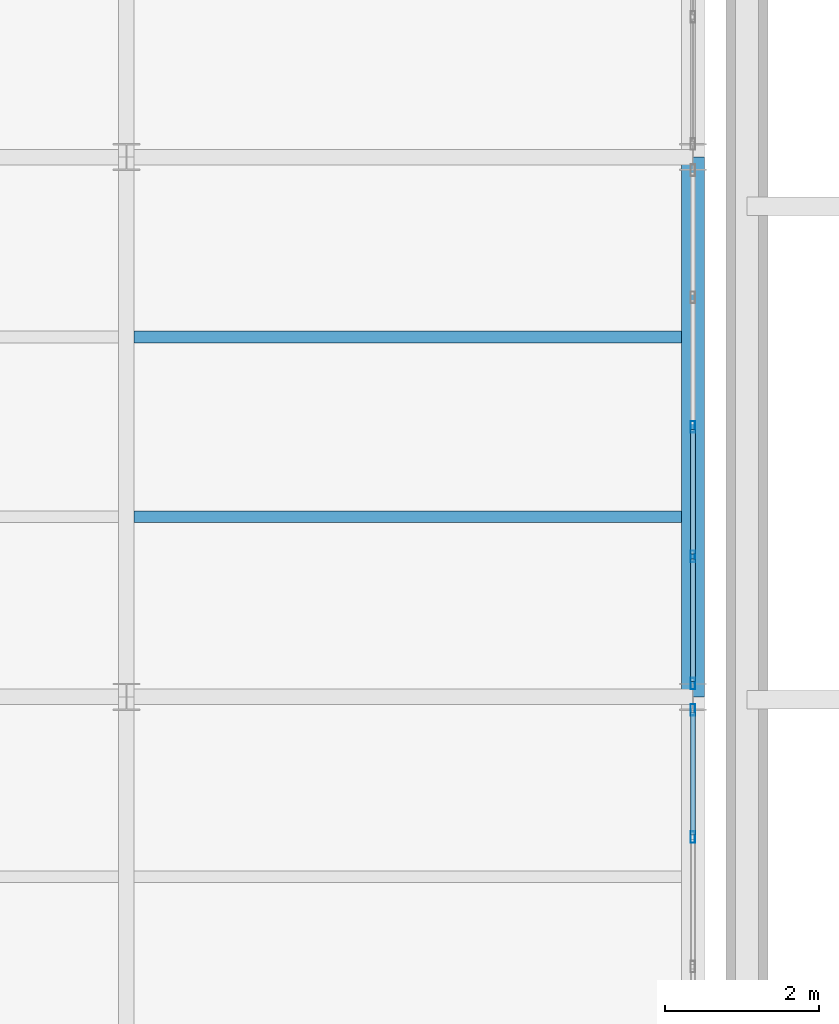
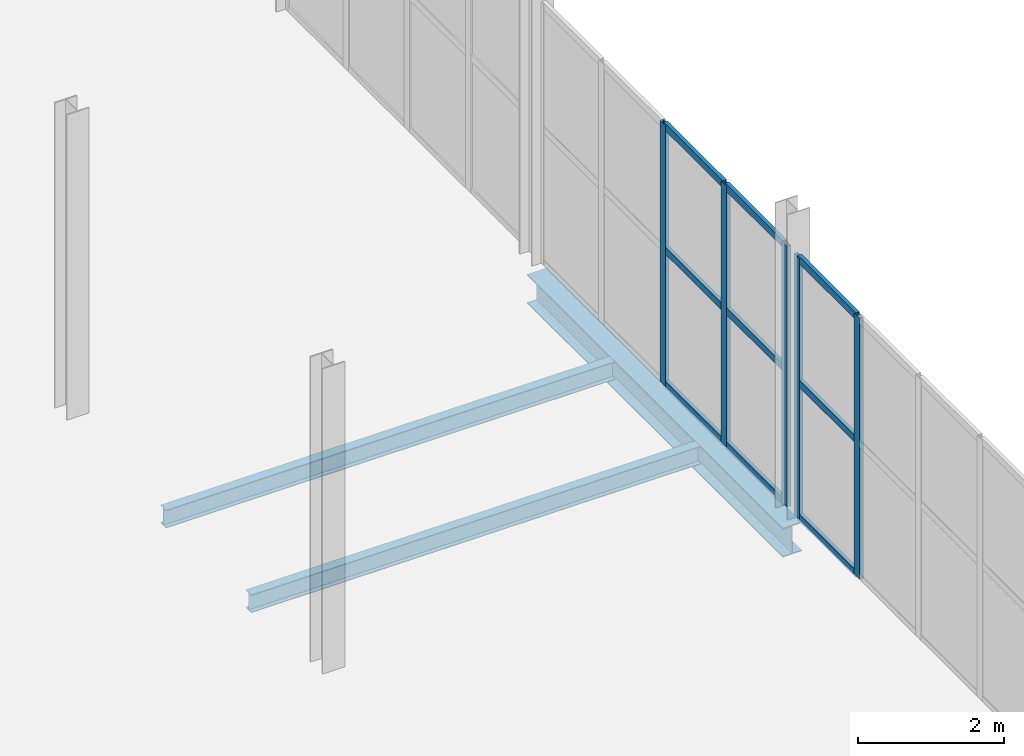
# One storey, part 53 of 218: 14 members, 3 beams, 2 elements without a shape of their own.
"""IFC4 building model written with IfcOpenShell, lengths in metres."""

from ifc_helpers import new_model, si_unit, direction, frame, origin, origin_2d, place, context, subcontext, project, spatial, hollow_rectangle, i_section, extrude, material, material_profile, profile_set, type_object, element, aggregate, save


model = new_model("IFC4")

# Units and contexts
model_context = context("Model", 3, precision=1e-05, world=origin(), true_north=direction((0.0, 1.0)))
body_context = subcontext(model_context, "Body", "Model", "MODEL_VIEW")
ifc_project = project(units=[si_unit("LENGTHUNIT", "METRE"), si_unit("AREAUNIT", "SQUARE_METRE"), si_unit("VOLUMEUNIT", "CUBIC_METRE"), si_unit("PLANEANGLEUNIT", "RADIAN"), si_unit("MASSUNIT", "GRAM", prefix="KILO")], contexts=[model_context])

# Site, building, storey
site_placement = place(None, origin())
site = spatial("IfcSite", under=ifc_project, at=site_placement, CompositionType="ELEMENT")
building_placement = place(site_placement, origin())
building = spatial("IfcBuilding", under=site, at=building_placement, Name="Kazenagashi Tramway Depot", CompositionType="ELEMENT")
storey_placement = place(building_placement, frame((0.0, 0.0, 6.0)))
storey = spatial("IfcBuildingStorey", under=building, at=storey_placement, Name="L02", CompositionType="ELEMENT", Elevation=6.0)

# Beams
ifc_material_1 = material(Name="Steel SN400B", Category="steel")
ifc_material_profile_1 = material_profile(ifc_material_1, i_section(OverallWidth=0.15, OverallDepth=0.3, WebThickness=0.0065, FlangeThickness=0.009, at=origin_2d()), Name="H-300x150x6.5x9")
ifc_profile_set_1 = profile_set([ifc_material_profile_1], Name="Steel SN400B")
beam_type_1 = type_object("IfcBeamType", Name="J-02", PredefinedType="JOIST", material=ifc_profile_set_1)
for number, where, z_axis, x_axis, name in (
    (1, (36.85, 44.333, -0.4), (1.0, 0.0, 0.0), (0.0, 1.0, 0.0), "Beam J-02 BM-0201"),
    (2, (36.85, 46.667, -0.4), (1.0, 0.0, 0.0), (0.0, 1.0, 0.0), "Beam J-02 BM-0202"),
):
    element("IfcBeam", number, at=place(storey_placement, frame(where, z_axis=z_axis, x_axis=x_axis)), inside=storey, type_object=beam_type_1, Name=name, PredefinedType="JOIST", context=body_context, shape_type="SweptSolid", body=[
        extrude(i_section(OverallWidth=0.15, OverallDepth=0.3, WebThickness=0.0065, FlangeThickness=0.009, at=origin_2d()), origin(), (0.0, 0.0, 1.0), 7.1),
    ])

# Curtain wall, members
ifc_material_2 = material(Name="Anodised Aluminium and Low-E Glazing", Category="aluminium")
curtain_wall_type = type_object("IfcCurtainWallType", Name="CW-34", PredefinedType="USERDEFINED", material=ifc_material_2)
curtain_wall_1_placement = place(storey_placement, origin())
curtain_wall_1 = element("IfcCurtainWall", 3, at=curtain_wall_1_placement, inside=storey, type_object=curtain_wall_type, Name="Industrial Glazed Screen CW-34 CW-0190", ObjectType="GLAZED SCREEN", PredefinedType="USERDEFINED")
ifc_material_3 = material(Name="Anodised Aluminium", Category="aluminium")
ifc_material_profile_2 = material_profile(ifc_material_3, hollow_rectangle(XDim=0.06, YDim=0.15, WallThickness=0.004, at=origin_2d()), Name="RHS-150x60x4")
ifc_profile_set_2 = profile_set([ifc_material_profile_2], Name="Anodised Aluminium")
member_type_1 = type_object("IfcMemberType", Name="ML-01", PredefinedType="MULLION", material=ifc_profile_set_2)
member_1_placement = place(storey_placement, frame((44.1, 40.18, 0.0), z_axis=(0.0, 0.0, 1.0), x_axis=(-1.0, 0.0, 0.0)))
member_1 = element("IfcMember", 4, at=member_1_placement, type_object=member_type_1, Name="CW-34 mullion 4", PredefinedType="MULLION", context=body_context, shape_type="SweptSolid", body=[
    extrude(hollow_rectangle(XDim=0.06, YDim=0.15, WallThickness=0.004, at=origin_2d()), origin(), (0.0, 0.0, 1.0), 4.362),
])
member_2_placement = place(storey_placement, frame((44.1, 41.83, 0.0), z_axis=(0.0, 0.0, 1.0), x_axis=(-1.0, 0.0, 0.0)))
member_2 = element("IfcMember", 5, at=member_2_placement, type_object=member_type_1, Name="CW-34 mullion 5", PredefinedType="MULLION", context=body_context, shape_type="SweptSolid", body=[
    extrude(hollow_rectangle(XDim=0.06, YDim=0.15, WallThickness=0.004, at=origin_2d()), origin(), (0.0, 0.0, 1.0), 4.362),
])

curtain_wall_2_placement = place(storey_placement, origin())
curtain_wall_2 = element("IfcCurtainWall", 6, at=curtain_wall_2_placement, inside=storey, type_object=curtain_wall_type, Name="Industrial Glazed Screen CW-34 CW-0192", ObjectType="GLAZED SCREEN", PredefinedType="USERDEFINED")
member_3_placement = place(storey_placement, frame((44.1, 42.17, 0.0), z_axis=(0.0, 0.0, 1.0), x_axis=(-1.0, 0.0, 0.0)))
member_3 = element("IfcMember", 7, at=member_3_placement, type_object=member_type_1, Name="CW-34 mullion 1", PredefinedType="MULLION", context=body_context, shape_type="SweptSolid", body=[
    extrude(hollow_rectangle(XDim=0.06, YDim=0.15, WallThickness=0.004, at=origin_2d()), origin(), (0.0, 0.0, 1.0), 4.362),
])
member_4_placement = place(storey_placement, frame((44.1, 43.82, 0.0), z_axis=(0.0, 0.0, 1.0), x_axis=(-1.0, 0.0, 0.0)))
member_4 = element("IfcMember", 8, at=member_4_placement, type_object=member_type_1, Name="CW-34 mullion 2", PredefinedType="MULLION", context=body_context, shape_type="SweptSolid", body=[
    extrude(hollow_rectangle(XDim=0.06, YDim=0.15, WallThickness=0.004, at=origin_2d()), origin(), (0.0, 0.0, 1.0), 4.362),
])
member_5_placement = place(storey_placement, frame((44.1, 45.5, 0.0), z_axis=(0.0, 0.0, 1.0), x_axis=(-1.0, 0.0, 0.0)))
member_5 = element("IfcMember", 9, at=member_5_placement, type_object=member_type_1, Name="CW-34 mullion 3", PredefinedType="MULLION", context=body_context, shape_type="SweptSolid", body=[
    extrude(hollow_rectangle(XDim=0.06, YDim=0.15, WallThickness=0.004, at=origin_2d()), origin(), (0.0, 0.0, 1.0), 4.362),
])

# Beam
ifc_material_4 = material(Name="Steel SN490B", Category="steel")
ifc_material_profile_3 = material_profile(ifc_material_4, i_section(OverallWidth=0.3, OverallDepth=0.488, WebThickness=0.011, FlangeThickness=0.018, at=origin_2d()), Name="H-488x300x11x18")
ifc_profile_set_3 = profile_set([ifc_material_profile_3], Name="Steel SN490B")
beam_type_2 = type_object("IfcBeamType", Name="SP-02", PredefinedType="SPANDREL", material=ifc_profile_set_3)
beam_placement = place(storey_placement, frame((44.1, 42.0, -0.494), z_axis=(0.0, 1.0, 0.0), x_axis=(-1.0, 0.0, 0.0)))
element("IfcBeam", 10, at=beam_placement, inside=storey, type_object=beam_type_2, Name="Beam SP-02 BM-0215", PredefinedType="SPANDREL", context=body_context, shape_type="SweptSolid", body=[
    extrude(i_section(OverallWidth=0.3, OverallDepth=0.488, WebThickness=0.011, FlangeThickness=0.018, at=origin_2d()), origin(), (0.0, 0.0, 1.0), 7.0),
])

# Member
ifc_material_profile_4 = material_profile(ifc_material_3, hollow_rectangle(XDim=0.06, YDim=0.12, WallThickness=0.004, at=origin_2d()), Name="RHS-120x60x4")
ifc_profile_set_4 = profile_set([ifc_material_profile_4], Name="Anodised Aluminium")
member_type_2 = type_object("IfcMemberType", Name="TR-01", PredefinedType="USERDEFINED", material=ifc_profile_set_4)
member_6_placement = place(storey_placement, frame((44.1, 40.21, 0.03), z_axis=(0.0, 1.0, 0.0), x_axis=(-1.0, 0.0, 0.0)))
member_6 = element("IfcMember", 11, at=member_6_placement, type_object=member_type_2, Name="CW-34 transom 4.1", ObjectType="TRANSOM", PredefinedType="USERDEFINED", context=body_context, shape_type="SweptSolid", body=[
    extrude(hollow_rectangle(XDim=0.06, YDim=0.12, WallThickness=0.004, at=origin_2d()), origin(), (0.0, 0.0, 1.0), 1.59),
])

member_7_placement = place(storey_placement, frame((44.1, 40.21, 2.268), z_axis=(0.0, 1.0, 0.0), x_axis=(-1.0, 0.0, 0.0)))
member_7 = element("IfcMember", 12, at=member_7_placement, type_object=member_type_2, Name="CW-34 transom 4.2", ObjectType="TRANSOM", PredefinedType="USERDEFINED", context=body_context, shape_type="SweptSolid", body=[
    extrude(hollow_rectangle(XDim=0.06, YDim=0.12, WallThickness=0.004, at=origin_2d()), origin(), (0.0, 0.0, 1.0), 1.59),
])

member_8_placement = place(storey_placement, frame((44.1, 40.21, 4.332), z_axis=(0.0, 1.0, 0.0), x_axis=(-1.0, 0.0, 0.0)))
member_8 = element("IfcMember", 13, at=member_8_placement, type_object=member_type_2, Name="CW-34 transom 4.3", ObjectType="TRANSOM", PredefinedType="USERDEFINED", context=body_context, shape_type="SweptSolid", body=[
    extrude(hollow_rectangle(XDim=0.06, YDim=0.12, WallThickness=0.004, at=origin_2d()), origin(), (0.0, 0.0, 1.0), 1.59),
])

aggregate(curtain_wall_1, [member_1, member_2, member_6, member_7, member_8])

member_9_placement = place(storey_placement, frame((44.1, 42.2, 0.03), z_axis=(0.0, 1.0, 0.0), x_axis=(-1.0, 0.0, 0.0)))
member_9 = element("IfcMember", 14, at=member_9_placement, type_object=member_type_2, Name="CW-34 transom 1.1", ObjectType="TRANSOM", PredefinedType="USERDEFINED", context=body_context, shape_type="SweptSolid", body=[
    extrude(hollow_rectangle(XDim=0.06, YDim=0.12, WallThickness=0.004, at=origin_2d()), origin(), (0.0, 0.0, 1.0), 1.59),
])

member_10_placement = place(storey_placement, frame((44.1, 42.2, 2.268), z_axis=(0.0, 1.0, 0.0), x_axis=(-1.0, 0.0, 0.0)))
member_10 = element("IfcMember", 15, at=member_10_placement, type_object=member_type_2, Name="CW-34 transom 1.2", ObjectType="TRANSOM", PredefinedType="USERDEFINED", context=body_context, shape_type="SweptSolid", body=[
    extrude(hollow_rectangle(XDim=0.06, YDim=0.12, WallThickness=0.004, at=origin_2d()), origin(), (0.0, 0.0, 1.0), 1.59),
])

member_11_placement = place(storey_placement, frame((44.1, 42.2, 4.332), z_axis=(0.0, 1.0, 0.0), x_axis=(-1.0, 0.0, 0.0)))
member_11 = element("IfcMember", 16, at=member_11_placement, type_object=member_type_2, Name="CW-34 transom 1.3", ObjectType="TRANSOM", PredefinedType="USERDEFINED", context=body_context, shape_type="SweptSolid", body=[
    extrude(hollow_rectangle(XDim=0.06, YDim=0.12, WallThickness=0.004, at=origin_2d()), origin(), (0.0, 0.0, 1.0), 1.59),
])

member_12_placement = place(storey_placement, frame((44.1, 43.85, 0.03), z_axis=(0.0, 1.0, 0.0), x_axis=(-1.0, 0.0, 0.0)))
member_12 = element("IfcMember", 17, at=member_12_placement, type_object=member_type_2, Name="CW-34 transom 2.1", ObjectType="TRANSOM", PredefinedType="USERDEFINED", context=body_context, shape_type="SweptSolid", body=[
    extrude(hollow_rectangle(XDim=0.06, YDim=0.12, WallThickness=0.004, at=origin_2d()), origin(), (0.0, 0.0, 1.0), 1.62),
])

member_13_placement = place(storey_placement, frame((44.1, 43.85, 2.268), z_axis=(0.0, 1.0, 0.0), x_axis=(-1.0, 0.0, 0.0)))
member_13 = element("IfcMember", 18, at=member_13_placement, type_object=member_type_2, Name="CW-34 transom 2.2", ObjectType="TRANSOM", PredefinedType="USERDEFINED", context=body_context, shape_type="SweptSolid", body=[
    extrude(hollow_rectangle(XDim=0.06, YDim=0.12, WallThickness=0.004, at=origin_2d()), origin(), (0.0, 0.0, 1.0), 1.62),
])

member_14_placement = place(storey_placement, frame((44.1, 43.85, 4.332), z_axis=(0.0, 1.0, 0.0), x_axis=(-1.0, 0.0, 0.0)))
member_14 = element("IfcMember", 19, at=member_14_placement, type_object=member_type_2, Name="CW-34 transom 2.3", ObjectType="TRANSOM", PredefinedType="USERDEFINED", context=body_context, shape_type="SweptSolid", body=[
    extrude(hollow_rectangle(XDim=0.06, YDim=0.12, WallThickness=0.004, at=origin_2d()), origin(), (0.0, 0.0, 1.0), 1.62),
])

aggregate(curtain_wall_2, [member_3, member_4, member_5, member_9, member_10, member_11, member_12, member_13, member_14])

save(model, "model.ifc")
